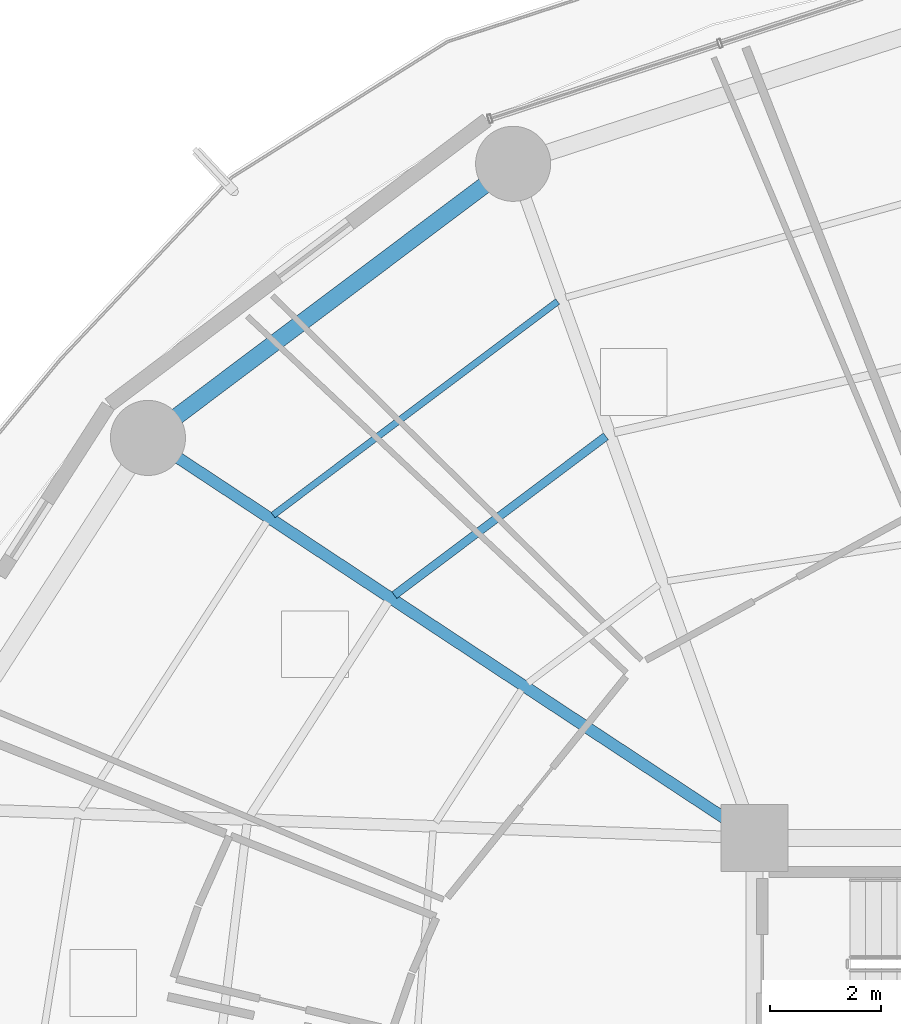
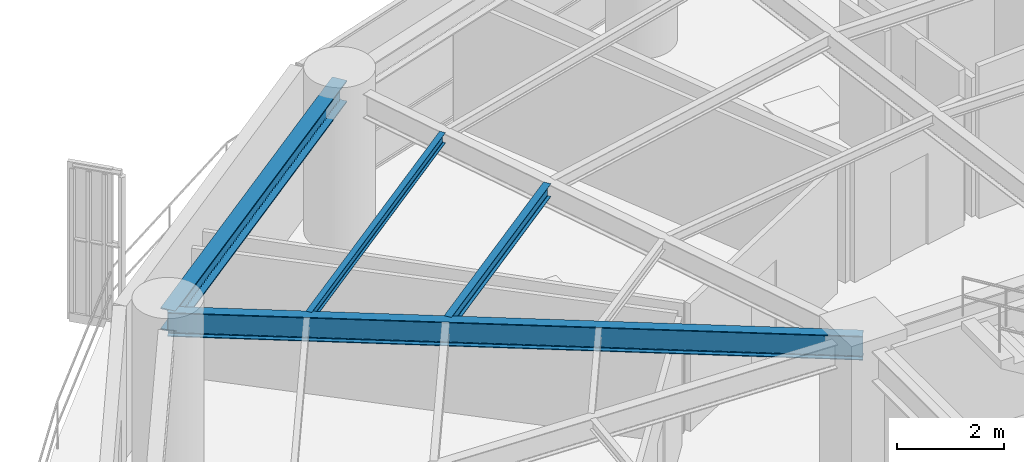
# One storey, part 19 of 37: 4 beams.
"""IFC4 building model written with IfcOpenShell, lengths in metres."""

from ifc_helpers import new_model, si_unit, direction, frame, origin, origin_2d, place, context, subcontext, project, spatial, i_section, extrude, material, material_profile, profile_set, type_object, element, save


model = new_model("IFC4")

# Units and contexts
model_context = context("Model", 3, precision=1e-05, world=origin(), true_north=direction((0.0, 1.0)))
body_context = subcontext(model_context, "Body", "Model", "MODEL_VIEW")
ifc_project = project(units=[si_unit("LENGTHUNIT", "METRE"), si_unit("AREAUNIT", "SQUARE_METRE"), si_unit("VOLUMEUNIT", "CUBIC_METRE"), si_unit("PLANEANGLEUNIT", "RADIAN"), si_unit("MASSUNIT", "GRAM", prefix="KILO")], contexts=[model_context])

# Site, building, storey
site_placement = place(None, origin())
site = spatial("IfcSite", under=ifc_project, at=site_placement, CompositionType="ELEMENT")
building_placement = place(site_placement, origin())
building = spatial("IfcBuilding", under=site, at=building_placement, Name="Kelanora Arch Commons", CompositionType="ELEMENT")
storey_placement = place(building_placement, frame((0.0, 0.0, 110.10009765625)))
storey = spatial("IfcBuildingStorey", under=building, at=storey_placement, Name="L28", CompositionType="ELEMENT", Elevation=110.10009765625)

# Beams
ifc_material = material(Name="Steel S355", Category="steel")
ifc_material_profile_1 = material_profile(ifc_material, i_section(OverallWidth=0.14990234375, OverallDepth=0.300048828125, WebThickness=0.007080078125, FlangeThickness=0.0107421875, FilletRadius=0.014892578125, at=origin_2d()), Name="IPE300")
ifc_profile_set_1 = profile_set([ifc_material_profile_1], Name="Steel S355")
beam_type_1 = type_object("IfcBeamType", Name="BM-JST-01", PredefinedType="JOIST", material=ifc_profile_set_1)
beam_1_placement = place(storey_placement, frame((63.327880859375, 72.22216796875, 3.33984375), z_axis=(-0.79971039107, -0.600385951214, 0.0), x_axis=(0.600385951214, -0.79971039107, 0.0)))
element("IfcBeam", 1, at=beam_1_placement, inside=storey, type_object=beam_type_1, Name="Secondary Chord Joist BJB-12 L28", PredefinedType="JOIST", context=body_context, shape_type="SweptSolid", body=[
    extrude(i_section(OverallWidth=0.14990234375, OverallDepth=0.300048828125, WebThickness=0.007080078125, FlangeThickness=0.0107421875, FilletRadius=0.014892578125, at=origin_2d()), origin(), (0.0, 0.0, 1.0), 4.756103515625),
])
ifc_material_profile_2 = material_profile(ifc_material, i_section(OverallWidth=0.1201171875, OverallDepth=0.239990234375, WebThickness=0.006103515625, FlangeThickness=0.009765625, FilletRadius=0.014892578125, at=origin_2d()), Name="IPE240")
ifc_profile_set_2 = profile_set([ifc_material_profile_2], Name="Steel S355")
beam_type_2 = type_object("IfcBeamType", Name="BM-JST-02", PredefinedType="JOIST", material=ifc_profile_set_2)
beam_2_placement = place(storey_placement, frame((62.4599609375, 74.646484375, 3.369873046875), z_axis=(-0.799734335646, -0.600354055861, 0.0), x_axis=(0.600354055861, -0.799734335646, 0.0)))
element("IfcBeam", 2, at=beam_2_placement, inside=storey, type_object=beam_type_2, Name="Secondary Chord Joist BJC-12 L28", PredefinedType="JOIST", context=body_context, shape_type="SweptSolid", body=[
    extrude(i_section(OverallWidth=0.1201171875, OverallDepth=0.239990234375, WebThickness=0.006103515625, FlangeThickness=0.009765625, FilletRadius=0.014892578125, at=origin_2d()), origin(), (0.0, 0.0, 1.0), 6.39794921875),
])
ifc_material_profile_3 = material_profile(ifc_material, i_section(OverallWidth=0.2099609375, OverallDepth=0.550048828125, WebThickness=0.010986328125, FlangeThickness=0.01708984375, FilletRadius=0.02392578125, at=origin_2d()), Name="IPE550")
ifc_profile_set_3 = profile_set([ifc_material_profile_3], Name="Steel S355")
beam_type_3 = type_object("IfcBeamType", Name="BM-RAD-Z2", PredefinedType="BEAM", material=ifc_profile_set_3)
beam_3_placement = place(storey_placement, frame((66.0, 65.0, 3.21484375), z_axis=(-0.834788577908, 0.550570640512, 0.0), x_axis=(-0.550570640512, -0.834788577908, 0.0)))
element("IfcBeam", 3, at=beam_3_placement, inside=storey, type_object=beam_type_3, Name="Radial Floor Girder BR-14 L28", PredefinedType="BEAM", context=body_context, shape_type="SweptSolid", body=[
    extrude(i_section(OverallWidth=0.2099609375, OverallDepth=0.550048828125, WebThickness=0.010986328125, FlangeThickness=0.01708984375, FilletRadius=0.02392578125, at=origin_2d()), origin(), (0.0, 0.0, 1.0), 13.064453125),
])
ifc_material_profile_4 = material_profile(ifc_material, i_section(OverallWidth=0.300048828125, OverallDepth=0.5, WebThickness=0.014404296875, FlangeThickness=0.028076171875, FilletRadius=0.027099609375, at=origin_2d()), Name="HEB500")
ifc_profile_set_4 = profile_set([ifc_material_profile_4], Name="Steel S355")
beam_type_4 = type_object("IfcBeamType", Name="BM-SPN-Z2", PredefinedType="SPANDREL", material=ifc_profile_set_4)
beam_4_placement = place(storey_placement, frame((61.659912109375, 77.121826171875, 3.239990234375), z_axis=(-0.799735861602, -0.600352023123, 0.0), x_axis=(0.600352023123, -0.799735861602, 0.0)))
element("IfcBeam", 4, at=beam_4_placement, inside=storey, type_object=beam_type_4, Name="Perimeter Spandrel Beam BS-12 L28", PredefinedType="SPANDREL", context=body_context, shape_type="SweptSolid", body=[
    extrude(i_section(OverallWidth=0.300048828125, OverallDepth=0.5, WebThickness=0.014404296875, FlangeThickness=0.028076171875, FilletRadius=0.027099609375, at=origin_2d()), origin(), (0.0, 0.0, 1.0), 8.210205078125),
])

save(model, "model.ifc")
